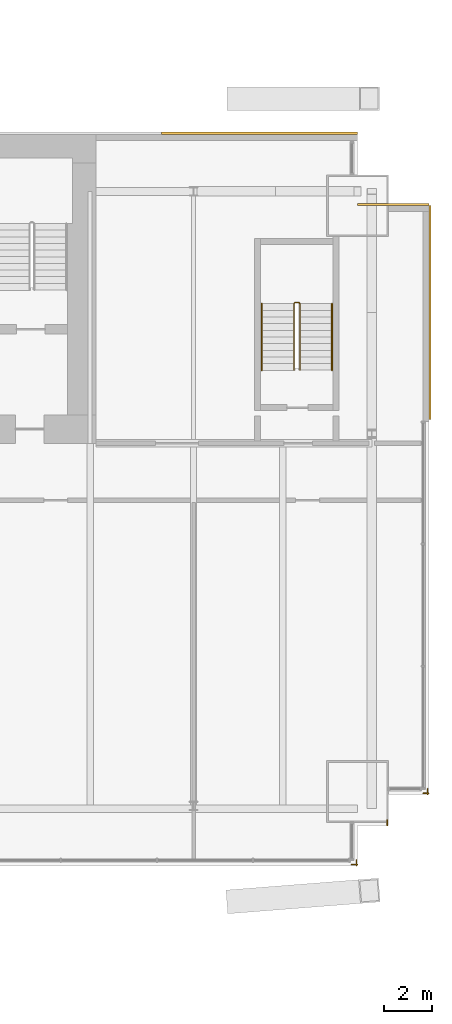
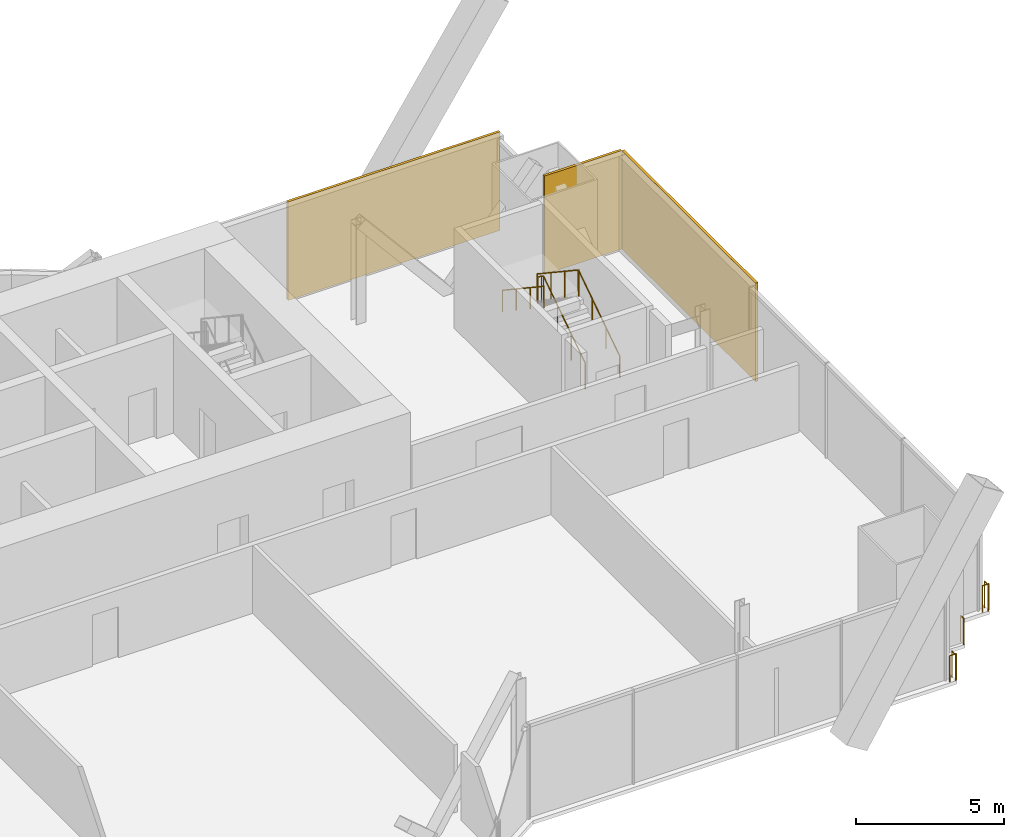
# One storey, part 20 of 20: 6 railings, 3 coverings.
"""IFC4 building model written with IfcOpenShell, lengths in metres."""

from ifc_helpers import new_model, si_unit, direction, frame, origin, origin_2d, place, context, subcontext, project, spatial, rectangle, circle, extrude, material, layer, layer_set, type_object, element, save


model = new_model("IFC4")

# Units and contexts
model_context = context("Model", 3, precision=1e-05, world=origin(), true_north=direction((0.0, 1.0)))
body_context = subcontext(model_context, "Body", "Model", "MODEL_VIEW")
ifc_project = project(units=[si_unit("LENGTHUNIT", "METRE"), si_unit("AREAUNIT", "SQUARE_METRE"), si_unit("VOLUMEUNIT", "CUBIC_METRE"), si_unit("PLANEANGLEUNIT", "RADIAN"), si_unit("MASSUNIT", "GRAM", prefix="KILO")], contexts=[model_context])

# Site, building, storey
site_placement = place(None, origin())
site = spatial("IfcSite", under=ifc_project, at=site_placement, CompositionType="ELEMENT")
building_placement = place(site_placement, origin())
building = spatial("IfcBuilding", under=site, at=building_placement, Name="Bicima Exchange Tower", CompositionType="ELEMENT")
storey_placement = place(building_placement, frame((0.0, 0.0, 231.89990234375)))
storey = spatial("IfcBuildingStorey", under=building, at=storey_placement, Name="L52", CompositionType="ELEMENT", Elevation=231.89990234375)

# Coverings
ifc_material_1 = material(Name="Bronze metal cladding")
ifc_layer_1 = layer(ifc_material_1, 0.004)
ifc_material_2 = material(Name="Ventilated cavity")
ifc_layer_2 = layer(ifc_material_2, 0.06)
ifc_material_3 = material(Name="Galvanised steel rail and mineral wool", Category="steel")
ifc_layer_3 = layer(ifc_material_3, 0.036)
ifc_layer_set = layer_set([ifc_layer_1, ifc_layer_2, ifc_layer_3], Name="Ventilated cavity")
covering_type = type_object("IfcCoveringType", Name="Bronze metal cladding panel 100", PredefinedType="CLADDING", material=ifc_layer_set)
covering_1_placement = place(storey_placement, frame((28.875, 0.050048828125, -0.14990234375), z_axis=(0.0, 0.0, 1.0), x_axis=(-1.0, 0.0, 0.0)))
element("IfcCovering", 1, at=covering_1_placement, inside=storey, type_object=covering_type, Name="Bronze cladding L52 1.1", PredefinedType="CLADDING", context=body_context, shape_type="SweptSolid", body=[
    extrude(rectangle(XDim=8.25, YDim=0.10009765625, at=origin_2d()), origin(), (0.0, 0.0, 1.0), 4.050048828125),
])
covering_2_placement = place(storey_placement, frame((36.050048828125, -7.5, -0.14990234375), z_axis=(0.0, 0.0, 1.0), x_axis=(0.0, 1.0, 0.0)))
element("IfcCovering", 2, at=covering_2_placement, inside=storey, type_object=covering_type, Name="Bronze cladding L52 50.1", PredefinedType="CLADDING", context=body_context, shape_type="SweptSolid", body=[
    extrude(rectangle(XDim=9.0, YDim=0.10009765625, at=origin_2d()), origin(), (0.0, 0.0, 1.0), 4.050048828125),
])
covering_3_placement = place(storey_placement, frame((34.5, -2.949951171875, -0.14990234375), z_axis=(0.0, 0.0, 1.0), x_axis=(-1.0, 0.0, 0.0)))
element("IfcCovering", 3, at=covering_3_placement, inside=storey, type_object=covering_type, Name="Bronze cladding L52 51.1", PredefinedType="CLADDING", context=body_context, shape_type="SweptSolid", body=[
    extrude(rectangle(XDim=3.0, YDim=0.10009765625, at=origin_2d()), origin(), (0.0, 0.0, 1.0), 4.050048828125),
])

# Railings
ifc_material_4 = material(Name="Stainless steel and bonded safety glass", Category="steel")
railing_type_1 = type_object("IfcRailingType", Name="Edge guard 1100", PredefinedType="GUARDRAIL", material=ifc_material_4)
railing_1_placement = place(storey_placement, frame((35.949951171875, -27.528076171875, 0.0)))
element("IfcRailing", 4, at=railing_1_placement, inside=storey, type_object=railing_type_1, Name="Edge guard L52 268", PredefinedType="GUARDRAIL", context=body_context, shape_type="SweptSolid", body=[
    extrude(circle(Radius=0.02392578125, at=origin_2d()), frame((0.0, 0.0, 1.076171875), z_axis=(0.0, -1.0, 0.0), x_axis=(1.0, 0.0, 0.0)), (0.0, 0.0, 1.0), 0.247802734375),
    extrude(circle(Radius=0.02392578125, at=origin_2d()), frame((0.0, -0.247802734375, 1.076171875), z_axis=(0.708833529934, 0.705375805398, 0.0), x_axis=(-0.705375805398, 0.708833529934, 0.0)), (0.0, 0.0, 1.0), 0.070556640625),
    extrude(circle(Radius=0.02392578125, at=origin_2d()), frame((0.050048828125, -0.197998046875, 1.076171875), z_axis=(-1.0, 0.0, 0.0), x_axis=(0.0, -1.0, 0.0)), (0.0, 0.0, 1.0), 0.242919921875),
    extrude(circle(Radius=0.02099609375, at=origin_2d()), origin(), (0.0, 0.0, 1.0), 1.052001953125),
    extrude(circle(Radius=0.02099609375, at=origin_2d()), frame((0.0, -0.247802734375, 0.0)), (0.0, 0.0, 1.0), 1.052001953125),
    extrude(circle(Radius=0.02099609375, at=origin_2d()), frame((0.050048828125, -0.197998046875, 0.0)), (0.0, 0.0, 1.0), 1.052001953125),
    extrude(circle(Radius=0.02099609375, at=origin_2d()), frame((-0.19287109375, -0.197998046875, 0.0)), (0.0, 0.0, 1.0), 1.052001953125),
])
railing_2_placement = place(storey_placement, frame((34.25, -28.85888671875, 0.0)))
element("IfcRailing", 5, at=railing_2_placement, inside=storey, type_object=railing_type_1, Name="Edge guard L52 269", PredefinedType="GUARDRAIL", context=body_context, shape_type="SweptSolid", body=[
    extrude(circle(Radius=0.02392578125, at=origin_2d()), frame((0.0, 0.0, 1.076171875), z_axis=(0.0, -1.0, 0.0), x_axis=(1.0, 0.0, 0.0)), (0.0, 0.0, 1.0), 0.217041015625),
    extrude(circle(Radius=0.02099609375, at=origin_2d()), origin(), (0.0, 0.0, 1.0), 1.052001953125),
    extrude(circle(Radius=0.02099609375, at=origin_2d()), frame((0.0, -0.217041015625, 0.0)), (0.0, 0.0, 1.0), 1.052001953125),
])
railing_3_placement = place(storey_placement, frame((32.949951171875, -30.532958984375, 0.0)))
element("IfcRailing", 6, at=railing_3_placement, inside=storey, type_object=railing_type_1, Name="Edge guard L52 270", PredefinedType="GUARDRAIL", context=body_context, shape_type="SweptSolid", body=[
    extrude(circle(Radius=0.02392578125, at=origin_2d()), frame((0.0, 0.0, 1.076171875), z_axis=(0.0, -1.0, 0.0), x_axis=(1.0, 0.0, 0.0)), (0.0, 0.0, 1.0), 0.242919921875),
    extrude(circle(Radius=0.02392578125, at=origin_2d()), frame((0.0, -0.242919921875, 1.076171875), z_axis=(0.708833529934, 0.705375805398, 0.0), x_axis=(-0.705375805398, 0.708833529934, 0.0)), (0.0, 0.0, 1.0), 0.070556640625),
    extrude(circle(Radius=0.02392578125, at=origin_2d()), frame((0.050048828125, -0.193115234375, 1.076171875), z_axis=(-1.0, 0.0, 0.0), x_axis=(0.0, -1.0, 0.0)), (0.0, 0.0, 1.0), 0.25),
    extrude(circle(Radius=0.02099609375, at=origin_2d()), origin(), (0.0, 0.0, 1.0), 1.052001953125),
    extrude(circle(Radius=0.02099609375, at=origin_2d()), frame((0.0, -0.242919921875, 0.0)), (0.0, 0.0, 1.0), 1.052001953125),
    extrude(circle(Radius=0.02099609375, at=origin_2d()), frame((0.050048828125, -0.193115234375, 0.0)), (0.0, 0.0, 1.0), 1.052001953125),
    extrude(circle(Radius=0.02099609375, at=origin_2d()), frame((-0.199951171875, -0.193115234375, 0.0)), (0.0, 0.0, 1.0), 1.052001953125),
])
ifc_material_5 = material(Name="Stainless steel", Category="steel")
railing_type_2 = type_object("IfcRailingType", Name="Stair guard 1100", PredefinedType="GUARDRAIL", material=ifc_material_5)
railing_4_placement = place(storey_placement, frame((30.574951171875, -9.925048828125, 0.1865234375)))
element("IfcRailing", 7, at=railing_4_placement, inside=storey, type_object=railing_type_2, Name="L52 ST-EE stair guard 1", PredefinedType="GUARDRAIL", context=body_context, shape_type="SweptSolid", body=[
    extrude(circle(Radius=0.02392578125, at=origin_2d()), frame((0.0, 0.0, 1.076171875), z_axis=(0.0, 0.832485552168, 0.554046753832), x_axis=(-1.0, 0.0, 0.0)), (0.0, 0.0, 1.0), 3.363525390625),
    extrude(circle(Radius=0.02392578125, at=origin_2d()), frame((0.0, 2.800048828125, 2.939453125), z_axis=(-0.707106781187, 0.707106781187, 0.0), x_axis=(-0.707106781187, -0.707106781187, 0.0)), (0.0, 0.0, 1.0), 0.07080078125),
    extrude(circle(Radius=0.02392578125, at=origin_2d()), frame((-0.050048828125, 2.85009765625, 2.939453125), z_axis=(-1.0, 0.0, 0.0), x_axis=(0.0, -1.0, 0.0)), (0.0, 0.0, 1.0), 0.14990234375),
    extrude(circle(Radius=0.02392578125, at=origin_2d()), frame((-0.199951171875, 2.85009765625, 2.939453125), z_axis=(-0.250869701741, -0.250869701741, 0.934948546978), x_axis=(0.707106781187, -0.707106781187, 0.0)), (0.0, 0.0, 1.0), 0.199462890625),
    extrude(circle(Radius=0.02392578125, at=origin_2d()), frame((-0.25, 2.800048828125, 3.1259765625), z_axis=(0.0, -0.832485552168, 0.554046753832), x_axis=(1.0, 0.0, 0.0)), (0.0, 0.0, 1.0), 3.363525390625),
    extrude(circle(Radius=0.02099609375, at=origin_2d()), origin(), (0.0, 0.0, 1.0), 1.052001953125),
    extrude(circle(Radius=0.02099609375, at=origin_2d()), frame((0.0, 0.933349609375, 0.62109375)), (0.0, 0.0, 1.0), 1.052001953125),
    extrude(circle(Radius=0.02099609375, at=origin_2d()), frame((0.0, 1.86669921875, 1.242431640625)), (0.0, 0.0, 1.0), 1.052001953125),
    extrude(circle(Radius=0.02099609375, at=origin_2d()), frame((0.0, 2.800048828125, 1.863525390625)), (0.0, 0.0, 1.0), 1.052001953125),
    extrude(circle(Radius=0.02099609375, at=origin_2d()), frame((-0.050048828125, 2.85009765625, 1.863525390625)), (0.0, 0.0, 1.0), 1.052001953125),
    extrude(circle(Radius=0.02099609375, at=origin_2d()), frame((-0.199951171875, 2.85009765625, 1.863525390625)), (0.0, 0.0, 1.0), 1.052001953125),
    extrude(circle(Radius=0.02099609375, at=origin_2d()), frame((-0.25, 2.800048828125, 2.050048828125)), (0.0, 0.0, 1.0), 1.052001953125),
    extrude(circle(Radius=0.02099609375, at=origin_2d()), frame((-0.25, 1.86669921875, 2.671142578125)), (0.0, 0.0, 1.0), 1.052001953125),
    extrude(circle(Radius=0.02099609375, at=origin_2d()), frame((-0.25, 0.933349609375, 3.29248046875)), (0.0, 0.0, 1.0), 1.052001953125),
    extrude(circle(Radius=0.02099609375, at=origin_2d()), frame((-0.25, 0.0, 3.91357421875)), (0.0, 0.0, 1.0), 1.052001953125),
])
railing_type_3 = type_object("IfcRailingType", Name="Stair handrail 900", PredefinedType="HANDRAIL", material=ifc_material_5)
railing_5_placement = place(storey_placement, frame((31.925048828125, -9.925048828125, 0.1865234375)))
element("IfcRailing", 8, at=railing_5_placement, inside=storey, type_object=railing_type_3, Name="L52 ST-EE stair handrail 1", PredefinedType="HANDRAIL", context=body_context, shape_type="SweptSolid", body=[
    extrude(circle(Radius=0.02392578125, at=origin_2d()), frame((0.0, 0.0, 0.8759765625), z_axis=(0.0, 0.832485552168, 0.554046753832), x_axis=(-1.0, 0.0, 0.0)), (0.0, 0.0, 1.0), 3.363525390625),
    extrude(circle(Radius=0.02099609375, at=origin_2d()), origin(), (0.0, 0.0, 1.0), 0.851806640625),
    extrude(circle(Radius=0.02099609375, at=origin_2d()), frame((0.0, 0.933349609375, 0.62109375)), (0.0, 0.0, 1.0), 0.851806640625),
    extrude(circle(Radius=0.02099609375, at=origin_2d()), frame((0.0, 1.86669921875, 1.242431640625)), (0.0, 0.0, 1.0), 0.851806640625),
    extrude(circle(Radius=0.02099609375, at=origin_2d()), frame((0.0, 2.800048828125, 1.863525390625)), (0.0, 0.0, 1.0), 0.851806640625),
])
railing_6_placement = place(storey_placement, frame((28.97509765625, -7.125, 2.236572265625)))
element("IfcRailing", 9, at=railing_6_placement, inside=storey, type_object=railing_type_3, Name="L52 ST-EE stair handrail 2", PredefinedType="HANDRAIL", context=body_context, shape_type="SweptSolid", body=[
    extrude(circle(Radius=0.02392578125, at=origin_2d()), frame((0.0, 0.0, 0.8759765625), z_axis=(0.0, -0.832485552168, 0.554046753832), x_axis=(1.0, 0.0, 0.0)), (0.0, 0.0, 1.0), 3.363525390625),
    extrude(circle(Radius=0.02099609375, at=origin_2d()), origin(), (0.0, 0.0, 1.0), 0.851806640625),
    extrude(circle(Radius=0.02099609375, at=origin_2d()), frame((0.0, -0.933349609375, 0.62109375)), (0.0, 0.0, 1.0), 0.851806640625),
    extrude(circle(Radius=0.02099609375, at=origin_2d()), frame((0.0, -1.86669921875, 1.242431640625)), (0.0, 0.0, 1.0), 0.851806640625),
    extrude(circle(Radius=0.02099609375, at=origin_2d()), frame((0.0, -2.800048828125, 1.863525390625)), (0.0, 0.0, 1.0), 0.851806640625),
])

save(model, "model.ifc")
